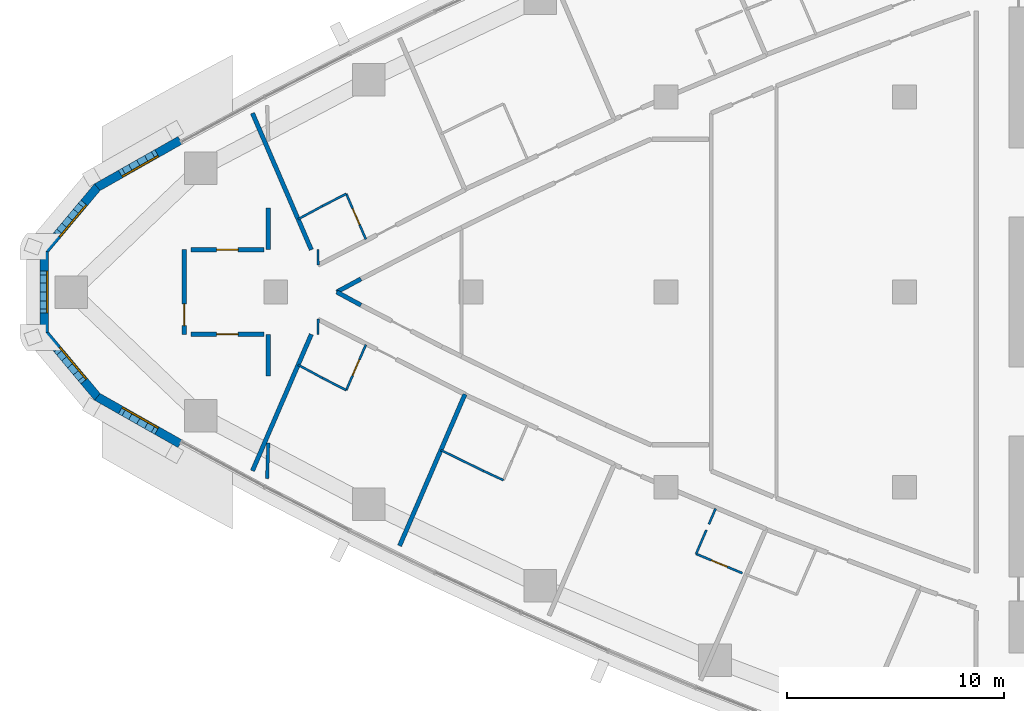
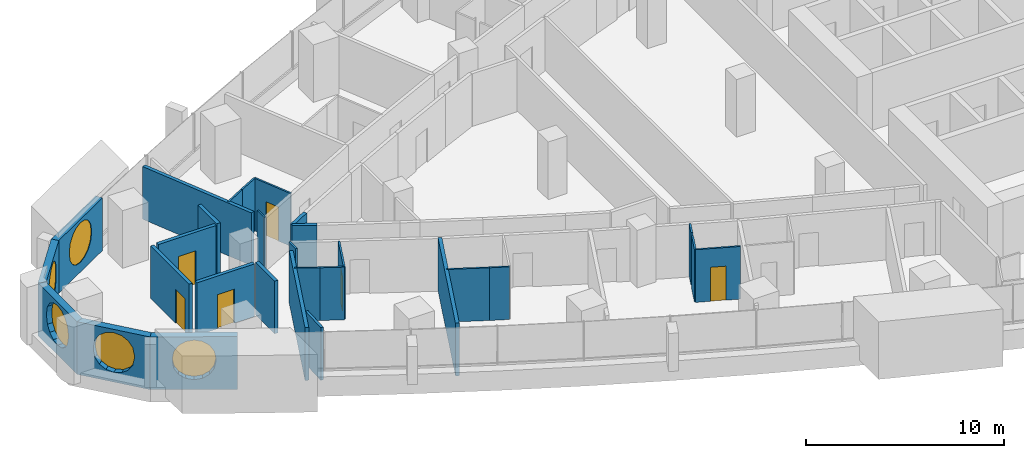
# One storey, part 8 of 17: 29 walls, 6 doors, 5 windows, 11 openings.
"""IFC4 building model written with IfcOpenShell, lengths in metres."""

from ifc_helpers import new_model, si_unit, direction, frame, frame_2d, origin, place, context, subcontext, project, spatial, polyline, rectangle, outline, extrude, material, layer, layer_set, type_object, element, fill, save


model = new_model("IFC4")

# Units and contexts
model_context = context("Model", 3, precision=1e-05, world=origin(), true_north=direction((0.0, 1.0)))
body_context = subcontext(model_context, "Body", "Model", "MODEL_VIEW")
ifc_project = project(units=[si_unit("LENGTHUNIT", "METRE"), si_unit("AREAUNIT", "SQUARE_METRE"), si_unit("VOLUMEUNIT", "CUBIC_METRE"), si_unit("PLANEANGLEUNIT", "RADIAN"), si_unit("MASSUNIT", "GRAM", prefix="KILO")], contexts=[model_context])

# Site, building, storey
site_placement = place(None, origin())
site = spatial("IfcSite", under=ifc_project, at=site_placement, CompositionType="ELEMENT")
building_placement = place(site_placement, origin())
building = spatial("IfcBuilding", under=site, at=building_placement, Name="Ostrand Prow Hotel Tower", CompositionType="ELEMENT")
storey_placement = place(building_placement, frame((0.0, 0.0, 158.60009765625)))
storey = spatial("IfcBuildingStorey", under=building, at=storey_placement, Name="L39", CompositionType="ELEMENT", Elevation=158.60009765625)

# Walls
ifc_material_1 = material(Name="Plasterboard partition")
ifc_layer_1 = layer(ifc_material_1, 0.10009765625)
ifc_layer_set_1 = layer_set([ifc_layer_1], Name="Plasterboard partition")
wall_type_1 = type_object("IfcWallType", Name="Partition 100 bathroom wall", PredefinedType="PARTITIONING", material=ifc_layer_set_1)
wall_1_placement = place(storey_placement, frame((17.03564453125, 3.3583984375, 0.0), z_axis=(0.0, 0.0, 1.0), x_axis=(0.879823588489, 0.475300382009, 0.0)))
element("IfcWall", 1, at=wall_1_placement, inside=storey, type_object=wall_type_1, Name="BATHROOM WALL", PredefinedType="PARTITIONING", context=body_context, shape_type="SweptSolid", body=[
    extrude(rectangle(XDim=1.27294921875, YDim=0.10009765625, at=frame_2d((0.636474609375, 0.0))), origin(), (0.0, 0.0, 1.0), 3.25),
])
wall_2_placement = place(storey_placement, frame((18.155517578125, 3.96337890625, 0.0), z_axis=(0.0, 0.0, 1.0), x_axis=(0.889106231322, 0.457700895154, 0.0)))
element("IfcWall", 2, at=wall_2_placement, inside=storey, type_object=wall_type_1, Name="BATHROOM WALL", PredefinedType="PARTITIONING", context=body_context, shape_type="SweptSolid", body=[
    extrude(rectangle(XDim=1.23486328125, YDim=0.10009765625, at=frame_2d((0.617431640625, 0.0))), origin(), (0.0, 0.0, 1.0), 3.25),
])

# Wall, opening, door
wall_3_placement = place(storey_placement, frame((19.253662109375, 4.528564453125, 0.0), z_axis=(0.0, 0.0, 1.0), x_axis=(0.395958457437, -0.9182684248, 0.0)))
wall_3 = element("IfcWall", 3, at=wall_3_placement, inside=storey, type_object=wall_type_1, Name="BATHROOM WALL", PredefinedType="PARTITIONING", context=body_context, shape_type="SweptSolid", body=[
    extrude(rectangle(XDim=2.281982421875, YDim=0.10009765625, at=frame_2d((1.14111328125, 0.0))), origin(), (0.0, 0.0, 1.0), 3.25),
])
opening_1_placement = place(wall_3_placement, frame((0.75, 0.0, 0.0)))
opening_1 = element("IfcOpeningElement", 4, at=opening_1_placement, cuts=wall_3, Name="Opening D2", PredefinedType="OPENING", context=body_context, shape_type="SweptSolid", body=[
    extrude(rectangle(XDim=0.800048828125, YDim=2.10009765625, at=frame_2d((0.39990234375, 1.050048828125))), frame((0.0, 0.06005859375, 0.0), z_axis=(0.0, -1.0, 0.0), x_axis=(1.0, 0.0, 0.0)), (0.0, 0.0, 1.0), 0.1201171875),
])
ifc_material_2 = material(Name="Timber door leaf", Category="wood")
door_type_1 = type_object("IfcDoorType", Name="Bathroom door 800", OperationType="SINGLE_SWING_LEFT", PredefinedType="DOOR", material=ifc_material_2)
door_1_placement = place(opening_1_placement, origin())
door_1 = element("IfcDoor", 5, at=door_1_placement, inside=storey, type_object=door_type_1, Name="DOOR", OperationType="SINGLE_SWING_LEFT", OverallHeight=2.10009765625, OverallWidth=0.800048828125, PredefinedType="DOOR", context=body_context, shape_type="SweptSolid", body=[
    extrude(rectangle(XDim=0.800048828125, YDim=2.10009765625, at=frame_2d((0.39990234375, 1.050048828125))), frame((0.0, 0.02490234375, 0.0), z_axis=(0.0, -1.0, 0.0), x_axis=(1.0, 0.0, 0.0)), (0.0, 0.0, 1.0), 0.050048828125),
])
fill(opening_1, door_1)

wall_4_placement = place(storey_placement, frame((20.1572265625, -2.43310546875, 0.0), z_axis=(0.0, 0.0, 1.0), x_axis=(-0.395958457437, -0.9182684248, 0.0)))
wall_4 = element("IfcWall", 6, at=wall_4_placement, inside=storey, type_object=wall_type_1, Name="BATHROOM WALL", PredefinedType="PARTITIONING", context=body_context, shape_type="SweptSolid", body=[
    extrude(rectangle(XDim=2.281982421875, YDim=0.10009765625, at=frame_2d((1.14111328125, 0.0))), origin(), (0.0, 0.0, 1.0), 3.25),
])
opening_2_placement = place(wall_4_placement, frame((0.75, 0.0, 0.0)))
opening_2 = element("IfcOpeningElement", 7, at=opening_2_placement, cuts=wall_4, Name="Opening D2", PredefinedType="OPENING", context=body_context, shape_type="SweptSolid", body=[
    extrude(rectangle(XDim=0.800048828125, YDim=2.10009765625, at=frame_2d((0.39990234375, 1.050048828125))), frame((0.0, 0.06005859375, 0.0), z_axis=(0.0, -1.0, 0.0), x_axis=(1.0, 0.0, 0.0)), (0.0, 0.0, 1.0), 0.1201171875),
])
door_2_placement = place(opening_2_placement, origin())
door_2 = element("IfcDoor", 8, at=door_2_placement, inside=storey, type_object=door_type_1, Name="DOOR", OperationType="SINGLE_SWING_LEFT", OverallHeight=2.10009765625, OverallWidth=0.800048828125, PredefinedType="DOOR", context=body_context, shape_type="SweptSolid", body=[
    extrude(rectangle(XDim=0.800048828125, YDim=2.10009765625, at=frame_2d((0.39990234375, 1.050048828125))), frame((0.0, 0.02490234375, 0.0), z_axis=(0.0, -1.0, 0.0), x_axis=(1.0, 0.0, 0.0)), (0.0, 0.0, 1.0), 0.050048828125),
])
fill(opening_2, door_2)

# Walls
wall_5_placement = place(storey_placement, frame((19.25341796875, -4.528564453125, 0.0), z_axis=(0.0, 0.0, 1.0), x_axis=(-0.889106231322, 0.457700895154, 0.0)))
element("IfcWall", 9, at=wall_5_placement, inside=storey, type_object=wall_type_1, Name="BATHROOM WALL", PredefinedType="PARTITIONING", context=body_context, shape_type="SweptSolid", body=[
    extrude(rectangle(XDim=1.23486328125, YDim=0.10009765625, at=frame_2d((0.617431640625, 0.0))), origin(), (0.0, 0.0, 1.0), 3.25),
])
wall_6_placement = place(storey_placement, frame((18.155517578125, -3.96337890625, 0.0), z_axis=(0.0, 0.0, 1.0), x_axis=(-0.879823588489, 0.475300382009, 0.0)))
element("IfcWall", 10, at=wall_6_placement, inside=storey, type_object=wall_type_1, Name="BATHROOM WALL", PredefinedType="PARTITIONING", context=body_context, shape_type="SweptSolid", body=[
    extrude(rectangle(XDim=1.27294921875, YDim=0.10009765625, at=frame_2d((0.636474609375, 0.0))), origin(), (0.0, 0.0, 1.0), 3.25),
])
wall_7_placement = place(storey_placement, frame((26.502685546875, -8.6787109375, 0.0), z_axis=(0.0, 0.0, 1.0), x_axis=(-0.906901476145, 0.421342749512, 0.0)))
element("IfcWall", 11, at=wall_7_placement, inside=storey, type_object=wall_type_1, Name="BATHROOM WALL", PredefinedType="PARTITIONING", context=body_context, shape_type="SweptSolid", body=[
    extrude(rectangle(XDim=1.022705078125, YDim=0.10009765625, at=frame_2d((0.51123046875, 0.0))), origin(), (0.0, 0.0, 1.0), 3.25),
])
wall_8_placement = place(storey_placement, frame((25.5751953125, -8.247802734375, 0.0), z_axis=(0.0, 0.0, 1.0), x_axis=(-0.898158387811, 0.439672048696, 0.0)))
element("IfcWall", 12, at=wall_8_placement, inside=storey, type_object=wall_type_1, Name="BATHROOM WALL", PredefinedType="PARTITIONING", context=body_context, shape_type="SweptSolid", body=[
    extrude(rectangle(XDim=2.179931640625, YDim=0.10009765625, at=frame_2d((1.08984375, 0.0))), origin(), (0.0, 0.0, 1.0), 3.25),
])
wall_9_placement = place(storey_placement, frame((35.384033203125, -12.07421875, 0.0), z_axis=(0.0, 0.0, 1.0), x_axis=(0.396057430794, 0.918225741043, 0.0)))
element("IfcWall", 13, at=wall_9_placement, inside=storey, type_object=wall_type_1, Name="BATHROOM WALL", PredefinedType="PARTITIONING", context=body_context, shape_type="SweptSolid", body=[
    extrude(rectangle(XDim=1.1982421875, YDim=0.10009765625, at=frame_2d((0.59912109375, 0.0))), origin(), (0.0, 0.0, 1.0), 3.25),
])
wall_10_placement = place(storey_placement, frame((35.974853515625, -10.70458984375, 0.0), z_axis=(0.0, 0.0, 1.0), x_axis=(0.396019167007, 0.918242244379, 0.0)))
element("IfcWall", 14, at=wall_10_placement, inside=storey, type_object=wall_type_1, Name="BATHROOM WALL", PredefinedType="PARTITIONING", context=body_context, shape_type="SweptSolid", body=[
    extrude(rectangle(XDim=0.785400390625, YDim=0.10009765625, at=frame_2d((0.392578125, 0.0))), origin(), (0.0, 0.0, 1.0), 3.25),
])

# Wall, opening, door
wall_11_placement = place(storey_placement, frame((37.51611328125, -12.962890625, 0.0), z_axis=(0.0, 0.0, 1.0), x_axis=(-0.923014363649, 0.384765492863, 0.0)))
wall_11 = element("IfcWall", 15, at=wall_11_placement, inside=storey, type_object=wall_type_1, Name="BATHROOM WALL", PredefinedType="PARTITIONING", context=body_context, shape_type="SweptSolid", body=[
    extrude(rectangle(XDim=2.3095703125, YDim=0.10009765625, at=frame_2d((1.15478515625, 0.0))), origin(), (0.0, 0.0, 1.0), 3.25),
])
opening_3_placement = place(wall_11_placement, frame((0.75, 0.0, 0.0)))
opening_3 = element("IfcOpeningElement", 16, at=opening_3_placement, cuts=wall_11, Name="Opening D2", PredefinedType="OPENING", context=body_context, shape_type="SweptSolid", body=[
    extrude(rectangle(XDim=0.800048828125, YDim=2.10009765625, at=frame_2d((0.39990234375, 1.050048828125))), frame((0.0, 0.06005859375, 0.0), z_axis=(0.0, -1.0, 0.0), x_axis=(1.0, 0.0, 0.0)), (0.0, 0.0, 1.0), 0.1201171875),
])
door_3_placement = place(opening_3_placement, origin())
door_3 = element("IfcDoor", 17, at=door_3_placement, inside=storey, type_object=door_type_1, Name="DOOR", OperationType="SINGLE_SWING_LEFT", OverallHeight=2.10009765625, OverallWidth=0.800048828125, PredefinedType="DOOR", context=body_context, shape_type="SweptSolid", body=[
    extrude(rectangle(XDim=0.800048828125, YDim=2.10009765625, at=frame_2d((0.39990234375, 1.050048828125))), frame((0.0, 0.02490234375, 0.0), z_axis=(0.0, -1.0, 0.0), x_axis=(1.0, 0.0, 0.0)), (0.0, 0.0, 1.0), 0.050048828125),
])
fill(opening_3, door_3)

# Walls
for number, where, z_axis, x_axis, name in (
    (18, (17.959716796875, 1.248779296875, 0.0), (0.0, 0.0, 1.0), (-0.007291472831, 0.999973416859, 0.0), "BATHROOM WALL"),
    (19, (17.95458984375, -1.951904296875, 0.0), (0.0, 0.0, 1.0), (0.007291472831, 0.999973416859, 0.0), "BATHROOM WALL"),
):
    element("IfcWall", number, at=place(storey_placement, frame(where, z_axis=z_axis, x_axis=x_axis)), inside=storey, type_object=wall_type_1, Name=name, PredefinedType="PARTITIONING", context=body_context, shape_type="SweptSolid", body=[
        extrude(rectangle(XDim=0.703125, YDim=0.10009765625, at=frame_2d((0.3515625, 0.0))), origin(), (0.0, 0.0, 1.0), 3.25),
    ])
ifc_material_3 = material(Name="Plasterboard partition")
ifc_layer_2 = layer(ifc_material_3, 0.14990234375)
ifc_layer_set_2 = layer_set([ifc_layer_2], Name="Plasterboard partition")
wall_type_2 = type_object("IfcWallType", Name="Partition 150 room partition", PredefinedType="PARTITIONING", material=ifc_layer_set_2)
wall_12_placement = place(storey_placement, frame((15.65869140625, -6.955078125, 0.0), z_axis=(0.0, 0.0, 1.0), x_axis=(-0.033196927484, -0.999448830109, 0.0)))
element("IfcWall", 20, at=wall_12_placement, inside=storey, type_object=wall_type_2, Name="ROOM PARTITION", PredefinedType="PARTITIONING", context=body_context, shape_type="SweptSolid", body=[
    extrude(rectangle(XDim=1.65478515625, YDim=0.14990234375, at=frame_2d((0.827392578125, 0.0))), origin(), (0.0, 0.0, 1.0), 3.25),
])

# Wall, opening, door
ifc_material_4 = material(Name="Plasterboard partition")
ifc_layer_3 = layer(ifc_material_4, 0.199951171875)
ifc_layer_set_3 = layer_set([ifc_layer_3], Name="Plasterboard partition")
wall_type_3 = type_object("IfcWallType", Name="Partition 200 corridor wall", PredefinedType="PARTITIONING", material=ifc_layer_set_3)
wall_13_placement = place(storey_placement, frame((12.086669921875, 1.949951171875, 0.0), z_axis=(0.0, 0.0, 1.0), x_axis=(1.0, 0.0, 0.0)))
wall_13 = element("IfcWall", 21, at=wall_13_placement, inside=storey, type_object=wall_type_3, Name="CORRIDOR WALL", PredefinedType="PARTITIONING", context=body_context, shape_type="SweptSolid", body=[
    extrude(rectangle(XDim=3.3720703125, YDim=0.199951171875, at=frame_2d((1.68603515625, 0.0))), origin(), (0.0, 0.0, 1.0), 3.25),
])
opening_4_placement = place(wall_13_placement, frame((1.18603515625, 0.0, 0.0)))
opening_4 = element("IfcOpeningElement", 22, at=opening_4_placement, cuts=wall_13, Name="Opening D1", PredefinedType="OPENING", context=body_context, shape_type="SweptSolid", body=[
    extrude(rectangle(XDim=1.0, YDim=2.10009765625, at=frame_2d((0.5, 1.050048828125))), frame((0.0, 0.10986328125, 0.0), z_axis=(0.0, -1.0, 0.0), x_axis=(1.0, 0.0, 0.0)), (0.0, 0.0, 1.0), 0.219970703125),
])
ifc_material_5 = material(Name="Timber door leaf", Category="wood")
door_type_2 = type_object("IfcDoorType", Name="Guest room door 1000", OperationType="SINGLE_SWING_LEFT", PredefinedType="DOOR", material=ifc_material_5)
door_4_placement = place(opening_4_placement, origin())
door_4 = element("IfcDoor", 23, at=door_4_placement, inside=storey, type_object=door_type_2, Name="DOOR", OperationType="SINGLE_SWING_LEFT", OverallHeight=2.10009765625, OverallWidth=1.0, PredefinedType="DOOR", context=body_context, shape_type="SweptSolid", body=[
    extrude(rectangle(XDim=1.0, YDim=2.10009765625, at=frame_2d((0.5, 1.050048828125))), frame((0.0, 0.02490234375, 0.0), z_axis=(0.0, -1.0, 0.0), x_axis=(1.0, 0.0, 0.0)), (0.0, 0.0, 1.0), 0.050048828125),
])
fill(opening_4, door_4)

wall_14_placement = place(storey_placement, frame((12.086669921875, -1.949951171875, 0.0), z_axis=(0.0, 0.0, 1.0), x_axis=(1.0, 0.0, 0.0)))
wall_14 = element("IfcWall", 24, at=wall_14_placement, inside=storey, type_object=wall_type_3, Name="CORRIDOR WALL", PredefinedType="PARTITIONING", context=body_context, shape_type="SweptSolid", body=[
    extrude(rectangle(XDim=3.3720703125, YDim=0.199951171875, at=frame_2d((1.68603515625, 0.0))), origin(), (0.0, 0.0, 1.0), 3.25),
])
opening_5_placement = place(wall_14_placement, frame((1.18603515625, 0.0, 0.0)))
opening_5 = element("IfcOpeningElement", 25, at=opening_5_placement, cuts=wall_14, Name="Opening D1R", PredefinedType="OPENING", context=body_context, shape_type="SweptSolid", body=[
    extrude(rectangle(XDim=1.0, YDim=2.10009765625, at=frame_2d((0.5, 1.050048828125))), frame((0.0, 0.10986328125, 0.0), z_axis=(0.0, -1.0, 0.0), x_axis=(1.0, 0.0, 0.0)), (0.0, 0.0, 1.0), 0.219970703125),
])
ifc_material_6 = material(Name="Timber door leaf", Category="wood")
door_type_3 = type_object("IfcDoorType", Name="Guest room door 1000 right", OperationType="SINGLE_SWING_RIGHT", PredefinedType="DOOR", material=ifc_material_6)
door_5_placement = place(opening_5_placement, origin())
door_5 = element("IfcDoor", 26, at=door_5_placement, inside=storey, type_object=door_type_3, Name="DOOR", OperationType="SINGLE_SWING_RIGHT", OverallHeight=2.10009765625, OverallWidth=1.0, PredefinedType="DOOR", context=body_context, shape_type="SweptSolid", body=[
    extrude(rectangle(XDim=1.0, YDim=2.10009765625, at=frame_2d((0.5, 1.050048828125))), frame((0.0, 0.02490234375, 0.0), z_axis=(0.0, -1.0, 0.0), x_axis=(1.0, 0.0, 0.0)), (0.0, 0.0, 1.0), 0.050048828125),
])
fill(opening_5, door_5)

# Walls
for number, where, z_axis, x_axis, name in (
    (27, (19.928466796875, -0.60205078125, 0.0), (0.0, 0.0, 1.0), (-0.879832865766, 0.475283208538, 0.0), "CORRIDOR WALL"),
    (28, (18.81396484375, 0.0, 0.0), (0.0, 0.0, 1.0), (0.879832865766, 0.475283208538, 0.0), "CORRIDOR WALL"),
):
    element("IfcWall", number, at=place(storey_placement, frame(where, z_axis=z_axis, x_axis=x_axis)), inside=storey, type_object=wall_type_3, Name=name, PredefinedType="PARTITIONING", context=body_context, shape_type="SweptSolid", body=[
        extrude(rectangle(XDim=1.2666015625, YDim=0.199951171875, at=frame_2d((0.63330078125, 0.0))), origin(), (0.0, 0.0, 1.0), 3.25),
    ])
wall_15_placement = place(storey_placement, frame((15.65869140625, 3.869384765625, 0.0), z_axis=(0.0, 0.0, 1.0), x_axis=(0.0, -1.0, 0.0)))
element("IfcWall", 29, at=wall_15_placement, inside=storey, type_object=wall_type_3, Name="CORRIDOR WALL", PredefinedType="PARTITIONING", context=body_context, shape_type="SweptSolid", body=[
    extrude(rectangle(XDim=1.914306640625, YDim=0.199951171875, at=frame_2d((0.95703125, 0.0))), origin(), (0.0, 0.0, 1.0), 3.25),
])
wall_16_placement = place(storey_placement, frame((15.65869140625, -1.955078125, 0.0), z_axis=(0.0, 0.0, 1.0), x_axis=(0.0, -1.0, 0.0)))
element("IfcWall", 30, at=wall_16_placement, inside=storey, type_object=wall_type_3, Name="CORRIDOR WALL", PredefinedType="PARTITIONING", context=body_context, shape_type="SweptSolid", body=[
    extrude(rectangle(XDim=1.921630859375, YDim=0.199951171875, at=frame_2d((0.9609375, 0.0))), origin(), (0.0, 0.0, 1.0), 3.25),
])
ifc_material_7 = material(Name="Plasterboard partition")
ifc_layer_4 = layer(ifc_material_7, 0.199951171875)
ifc_layer_set_4 = layer_set([ifc_layer_4], Name="Plasterboard partition")
wall_type_4 = type_object("IfcWallType", Name="Partition 200 key partition", PredefinedType="PARTITIONING", material=ifc_layer_set_4)
for number, where, z_axis, x_axis, name in (
    (31, (17.64306640625, 1.949951171875, 0.0), (0.0, 0.0, 1.0), (-0.395994543879, 0.918252863441, 0.0), "KEY PARTITION"),
    (32, (14.9287109375, -8.244140625, 0.0), (0.0, 0.0, 1.0), (0.395994543879, 0.918252863441, 0.0), "KEY PARTITION"),
):
    element("IfcWall", number, at=place(storey_placement, frame(where, z_axis=z_axis, x_axis=x_axis)), inside=storey, type_object=wall_type_4, Name=name, PredefinedType="PARTITIONING", context=body_context, shape_type="SweptSolid", body=[
        extrude(rectangle(XDim=6.8544921875, YDim=0.199951171875, at=frame_2d((3.42724609375, 0.0))), origin(), (0.0, 0.0, 1.0), 3.25),
    ])
wall_17_placement = place(storey_placement, frame((21.714111328125, -11.701904296875, 0.0), z_axis=(0.0, 0.0, 1.0), x_axis=(0.395982367396, 0.918258114427, 0.0)))
element("IfcWall", 33, at=wall_17_placement, inside=storey, type_object=wall_type_4, Name="KEY PARTITION", PredefinedType="PARTITIONING", context=body_context, shape_type="SweptSolid", body=[
    extrude(rectangle(XDim=7.60888671875, YDim=0.199951171875, at=frame_2d((3.804443359375, 0.0))), origin(), (0.0, 0.0, 1.0), 3.25),
])

# Wall, opening, door
ifc_material_8 = material(Name="Plasterboard partition")
ifc_layer_5 = layer(ifc_material_8, 0.199951171875)
ifc_layer_set_5 = layer_set([ifc_layer_5], Name="Plasterboard partition")
wall_type_5 = type_object("IfcWallType", Name="Partition 200 lounge wall", PredefinedType="PARTITIONING", material=ifc_layer_set_5)
wall_18_placement = place(storey_placement, frame((11.78662109375, -1.949951171875, 0.0), z_axis=(0.0, 0.0, 1.0), x_axis=(0.0, 1.0, 0.0)))
wall_18 = element("IfcWall", 34, at=wall_18_placement, inside=storey, type_object=wall_type_5, Name="LOUNGE WALL", PredefinedType="PARTITIONING", context=body_context, shape_type="SweptSolid", body=[
    extrude(rectangle(XDim=3.89990234375, YDim=0.199951171875, at=frame_2d((1.949951171875, 0.0))), origin(), (0.0, 0.0, 1.0), 3.25),
])
opening_6_placement = place(wall_18_placement, frame((0.39990234375, 0.0, 0.0)))
opening_6 = element("IfcOpeningElement", 35, at=opening_6_placement, cuts=wall_18, Name="Opening D1", PredefinedType="OPENING", context=body_context, shape_type="SweptSolid", body=[
    extrude(rectangle(XDim=1.0, YDim=2.10009765625, at=frame_2d((0.5, 1.050048828125))), frame((0.0, 0.10986328125, 0.0), z_axis=(0.0, -1.0, 0.0), x_axis=(1.0, 0.0, 0.0)), (0.0, 0.0, 1.0), 0.219970703125),
])
door_6_placement = place(opening_6_placement, origin())
door_6 = element("IfcDoor", 36, at=door_6_placement, inside=storey, type_object=door_type_2, Name="DOOR", OperationType="SINGLE_SWING_LEFT", OverallHeight=2.10009765625, OverallWidth=1.0, PredefinedType="DOOR", context=body_context, shape_type="SweptSolid", body=[
    extrude(rectangle(XDim=1.0, YDim=2.10009765625, at=frame_2d((0.5, 1.050048828125))), frame((0.0, 0.02490234375, 0.0), z_axis=(0.0, -1.0, 0.0), x_axis=(1.0, 0.0, 0.0)), (0.0, 0.0, 1.0), 0.050048828125),
])
fill(opening_6, door_6)

# Wall, opening, window
ifc_material_9 = material(Name="Precast concrete C40/50", Category="concrete")
ifc_layer_6 = layer(ifc_material_9, 0.39990234375)
ifc_layer_set_6 = layer_set([ifc_layer_6], Name="Precast concrete C40/50")
wall_type_6 = type_object("IfcWallType", Name="Stone-faced precast wall 400 mm", PredefinedType="NOTDEFINED", material=ifc_layer_set_6)
wall_19_placement = place(storey_placement, frame((11.594482421875, 6.996826171875, 0.0), z_axis=(0.0, 0.0, 1.0), x_axis=(-0.870045255208, -0.492971859125, 0.0)))
wall_19 = element("IfcWall", 37, at=wall_19_placement, inside=storey, type_object=wall_type_6, Name="Stone-faced wall prow 1", PredefinedType="NOTDEFINED", context=body_context, shape_type="SweptSolid", body=[
    extrude(outline(polyline([(0.0, -0.199951171875), (4.424072265625, -0.199951171875), (4.351806640625, 0.199951171875), (0.0, 0.199951171875), (0.0, -0.199951171875)])), origin(), (0.0, 0.0, 1.0), 3.25),
])
opening_7_placement = place(wall_19_placement, frame((1.093994140625, 0.0, 0.60009765625)))
opening_7 = element("IfcOpeningElement", 38, at=opening_7_placement, cuts=wall_19, Name="Opening WP1", PredefinedType="OPENING", context=body_context, shape_type="SweptSolid", body=[
    extrude(outline(polyline([(0.0, 1.35009765625), (0.083740234375, 1.77099609375), (0.322265625, 2.127685546875), (0.678955078125, 2.3662109375), (1.10009765625, 2.449951171875), (1.52099609375, 2.3662109375), (1.877685546875, 2.127685546875), (2.1162109375, 1.77099609375), (2.199951171875, 1.35009765625), (2.199951171875, 1.10009765625), (2.1162109375, 0.678955078125), (1.877685546875, 0.322265625), (1.52099609375, 0.083740234375), (1.10009765625, 0.0), (0.678955078125, 0.083740234375), (0.322265625, 0.322265625), (0.083740234375, 0.678955078125), (0.0, 1.099853515625), (0.0, 1.35009765625)])), frame((0.0, 0.2099609375, 0.0), z_axis=(0.0, -1.0, 0.0), x_axis=(1.0, 0.0, 0.0)), (0.0, 0.0, 1.0), 0.419921875),
])
ifc_material_10 = material(Name="Insulated glass in bronze frame", Category="glass")
window_type = type_object("IfcWindowType", Name="Round-ended prow window 2200x2450", PartitioningType="SINGLE_PANEL", PredefinedType="WINDOW", material=ifc_material_10)
window_1_placement = place(opening_7_placement, origin())
window_1 = element("IfcWindow", 39, at=window_1_placement, inside=storey, type_object=window_type, Name="Window prow 1.1", OverallHeight=2.449951171875, OverallWidth=2.199951171875, PartitioningType="SINGLE_PANEL", PredefinedType="WINDOW", context=body_context, shape_type="SweptSolid", body=[
    extrude(outline(polyline([(0.0, 1.35009765625), (0.083740234375, 1.77099609375), (0.322265625, 2.127685546875), (0.678955078125, 2.3662109375), (1.10009765625, 2.449951171875), (1.52099609375, 2.3662109375), (1.877685546875, 2.127685546875), (2.1162109375, 1.77099609375), (2.199951171875, 1.35009765625), (2.199951171875, 1.10009765625), (2.1162109375, 0.678955078125), (1.877685546875, 0.322265625), (1.52099609375, 0.083740234375), (1.10009765625, 0.0), (0.678955078125, 0.083740234375), (0.322265625, 0.322265625), (0.083740234375, 0.678955078125), (0.0, 1.099853515625), (0.0, 1.35009765625)])), frame((0.0, 0.169921875, 0.0), z_axis=(0.0, -1.0, 0.0), x_axis=(1.0, 0.0, 0.0)), (0.0, 0.0, 1.0), 0.06005859375),
])
fill(opening_7, window_1)

wall_20_placement = place(storey_placement, frame((7.77685546875, 4.833740234375, 0.0), z_axis=(0.0, 0.0, 1.0), x_axis=(-0.641787918235, -0.766882173484, 0.0)))
wall_20 = element("IfcWall", 40, at=wall_20_placement, inside=storey, type_object=wall_type_6, Name="Stone-faced wall prow 2", PredefinedType="NOTDEFINED", context=body_context, shape_type="SweptSolid", body=[
    extrude(outline(polyline([(-0.0361328125, -0.199951171875), (3.887939453125, -0.199951171875), (3.742919921875, 0.199951171875), (0.0361328125, 0.199951171875), (-0.0361328125, -0.199951171875)])), origin(), (0.0, 0.0, 1.0), 3.25),
])
opening_8_placement = place(wall_20_placement, frame((0.8076171875, 0.0, 0.60009765625)))
opening_8 = element("IfcOpeningElement", 41, at=opening_8_placement, cuts=wall_20, Name="Opening WP1", PredefinedType="OPENING", context=body_context, shape_type="SweptSolid", body=[
    extrude(outline(polyline([(0.0, 1.35009765625), (0.083740234375, 1.77099609375), (0.322265625, 2.127685546875), (0.678955078125, 2.3662109375), (1.10009765625, 2.449951171875), (1.52099609375, 2.3662109375), (1.877685546875, 2.127685546875), (2.1162109375, 1.77099609375), (2.199951171875, 1.35009765625), (2.199951171875, 1.10009765625), (2.1162109375, 0.678955078125), (1.877685546875, 0.322265625), (1.52099609375, 0.083740234375), (1.10009765625, 0.0), (0.678955078125, 0.083740234375), (0.322265625, 0.322265625), (0.083740234375, 0.678955078125), (0.0, 1.099853515625), (0.0, 1.35009765625)])), frame((0.0, 0.2099609375, 0.0), z_axis=(0.0, -1.0, 0.0), x_axis=(1.0, 0.0, 0.0)), (0.0, 0.0, 1.0), 0.419921875),
])
window_2_placement = place(opening_8_placement, origin())
window_2 = element("IfcWindow", 42, at=window_2_placement, inside=storey, type_object=window_type, Name="Window prow 2.1", OverallHeight=2.449951171875, OverallWidth=2.199951171875, PartitioningType="SINGLE_PANEL", PredefinedType="WINDOW", context=body_context, shape_type="SweptSolid", body=[
    extrude(outline(polyline([(0.0, 1.35009765625), (0.083740234375, 1.77099609375), (0.322265625, 2.127685546875), (0.678955078125, 2.3662109375), (1.10009765625, 2.449951171875), (1.52099609375, 2.3662109375), (1.877685546875, 2.127685546875), (2.1162109375, 1.77099609375), (2.199951171875, 1.35009765625), (2.199951171875, 1.10009765625), (2.1162109375, 0.678955078125), (1.877685546875, 0.322265625), (1.52099609375, 0.083740234375), (1.10009765625, 0.0), (0.678955078125, 0.083740234375), (0.322265625, 0.322265625), (0.083740234375, 0.678955078125), (0.0, 1.099853515625), (0.0, 1.35009765625)])), frame((0.0, 0.169921875, 0.0), z_axis=(0.0, -1.0, 0.0), x_axis=(1.0, 0.0, 0.0)), (0.0, 0.0, 1.0), 0.06005859375),
])
fill(opening_8, window_2)

wall_21_placement = place(storey_placement, frame((5.328125, 1.90771484375, 0.0), z_axis=(0.0, 0.0, 1.0), x_axis=(0.0, -1.0, 0.0)))
wall_21 = element("IfcWall", 43, at=wall_21_placement, inside=storey, type_object=wall_type_6, Name="Stone-faced wall prow 3", PredefinedType="NOTDEFINED", context=body_context, shape_type="SweptSolid", body=[
    extrude(outline(polyline([(-0.072509765625, -0.199951171875), (3.887939453125, -0.199951171875), (3.742919921875, 0.199951171875), (0.072509765625, 0.199951171875), (-0.072509765625, -0.199951171875)])), origin(), (0.0, 0.0, 1.0), 3.25),
])
opening_9_placement = place(wall_21_placement, frame((0.8076171875, 0.0, 0.60009765625)))
opening_9 = element("IfcOpeningElement", 44, at=opening_9_placement, cuts=wall_21, Name="Opening WP1", PredefinedType="OPENING", context=body_context, shape_type="SweptSolid", body=[
    extrude(outline(polyline([(0.0, 1.35009765625), (0.083740234375, 1.77099609375), (0.322265625, 2.127685546875), (0.678955078125, 2.3662109375), (1.10009765625, 2.449951171875), (1.52099609375, 2.3662109375), (1.877685546875, 2.127685546875), (2.1162109375, 1.77099609375), (2.199951171875, 1.35009765625), (2.199951171875, 1.10009765625), (2.1162109375, 0.678955078125), (1.877685546875, 0.322265625), (1.52099609375, 0.083740234375), (1.10009765625, 0.0), (0.678955078125, 0.083740234375), (0.322265625, 0.322265625), (0.083740234375, 0.678955078125), (0.0, 1.099853515625), (0.0, 1.35009765625)])), frame((0.0, 0.2099609375, 0.0), z_axis=(0.0, -1.0, 0.0), x_axis=(1.0, 0.0, 0.0)), (0.0, 0.0, 1.0), 0.419921875),
])
window_3_placement = place(opening_9_placement, origin())
window_3 = element("IfcWindow", 45, at=window_3_placement, inside=storey, type_object=window_type, Name="Window prow 3.1", OverallHeight=2.449951171875, OverallWidth=2.199951171875, PartitioningType="SINGLE_PANEL", PredefinedType="WINDOW", context=body_context, shape_type="SweptSolid", body=[
    extrude(outline(polyline([(0.0, 1.35009765625), (0.083740234375, 1.77099609375), (0.322265625, 2.127685546875), (0.678955078125, 2.3662109375), (1.10009765625, 2.449951171875), (1.52099609375, 2.3662109375), (1.877685546875, 2.127685546875), (2.1162109375, 1.77099609375), (2.199951171875, 1.35009765625), (2.199951171875, 1.10009765625), (2.1162109375, 0.678955078125), (1.877685546875, 0.322265625), (1.52099609375, 0.083740234375), (1.10009765625, 0.0), (0.678955078125, 0.083740234375), (0.322265625, 0.322265625), (0.083740234375, 0.678955078125), (0.0, 1.099853515625), (0.0, 1.35009765625)])), frame((0.0, 0.169921875, 0.0), z_axis=(0.0, -1.0, 0.0), x_axis=(1.0, 0.0, 0.0)), (0.0, 0.0, 1.0), 0.06005859375),
])
fill(opening_9, window_3)

wall_22_placement = place(storey_placement, frame((5.328125, -1.90771484375, 0.0), z_axis=(0.0, 0.0, 1.0), x_axis=(0.641787918235, -0.766882173484, 0.0)))
wall_22 = element("IfcWall", 46, at=wall_22_placement, inside=storey, type_object=wall_type_6, Name="Stone-faced wall prow 4", PredefinedType="NOTDEFINED", context=body_context, shape_type="SweptSolid", body=[
    extrude(outline(polyline([(-0.072509765625, -0.199951171875), (3.8515625, -0.199951171875), (3.779296875, 0.199951171875), (0.072509765625, 0.199951171875), (-0.072509765625, -0.199951171875)])), origin(), (0.0, 0.0, 1.0), 3.25),
])
opening_10_placement = place(wall_22_placement, frame((0.8076171875, 0.0, 0.60009765625)))
opening_10 = element("IfcOpeningElement", 47, at=opening_10_placement, cuts=wall_22, Name="Opening WP1", PredefinedType="OPENING", context=body_context, shape_type="SweptSolid", body=[
    extrude(outline(polyline([(0.0, 1.35009765625), (0.083740234375, 1.77099609375), (0.322265625, 2.127685546875), (0.678955078125, 2.3662109375), (1.10009765625, 2.449951171875), (1.52099609375, 2.3662109375), (1.877685546875, 2.127685546875), (2.1162109375, 1.77099609375), (2.199951171875, 1.35009765625), (2.199951171875, 1.10009765625), (2.1162109375, 0.678955078125), (1.877685546875, 0.322265625), (1.52099609375, 0.083740234375), (1.10009765625, 0.0), (0.678955078125, 0.083740234375), (0.322265625, 0.322265625), (0.083740234375, 0.678955078125), (0.0, 1.099853515625), (0.0, 1.35009765625)])), frame((0.0, 0.2099609375, 0.0), z_axis=(0.0, -1.0, 0.0), x_axis=(1.0, 0.0, 0.0)), (0.0, 0.0, 1.0), 0.419921875),
])
window_4_placement = place(opening_10_placement, origin())
window_4 = element("IfcWindow", 48, at=window_4_placement, inside=storey, type_object=window_type, Name="Window prow 4.1", OverallHeight=2.449951171875, OverallWidth=2.199951171875, PartitioningType="SINGLE_PANEL", PredefinedType="WINDOW", context=body_context, shape_type="SweptSolid", body=[
    extrude(outline(polyline([(0.0, 1.35009765625), (0.083740234375, 1.77099609375), (0.322265625, 2.127685546875), (0.678955078125, 2.3662109375), (1.10009765625, 2.449951171875), (1.52099609375, 2.3662109375), (1.877685546875, 2.127685546875), (2.1162109375, 1.77099609375), (2.199951171875, 1.35009765625), (2.199951171875, 1.10009765625), (2.1162109375, 0.678955078125), (1.877685546875, 0.322265625), (1.52099609375, 0.083740234375), (1.10009765625, 0.0), (0.678955078125, 0.083740234375), (0.322265625, 0.322265625), (0.083740234375, 0.678955078125), (0.0, 1.099853515625), (0.0, 1.35009765625)])), frame((0.0, 0.169921875, 0.0), z_axis=(0.0, -1.0, 0.0), x_axis=(1.0, 0.0, 0.0)), (0.0, 0.0, 1.0), 0.06005859375),
])
fill(opening_10, window_4)

wall_23_placement = place(storey_placement, frame((7.77685546875, -4.833740234375, 0.0), z_axis=(0.0, 0.0, 1.0), x_axis=(0.870045255208, -0.492971859125, 0.0)))
wall_23 = element("IfcWall", 49, at=wall_23_placement, inside=storey, type_object=wall_type_6, Name="Stone-faced wall prow 5", PredefinedType="NOTDEFINED", context=body_context, shape_type="SweptSolid", body=[
    extrude(outline(polyline([(-0.0361328125, -0.199951171875), (4.387939453125, -0.199951171875), (4.387939453125, 0.199951171875), (0.0361328125, 0.199951171875), (-0.0361328125, -0.199951171875)])), origin(), (0.0, 0.0, 1.0), 3.25),
])
opening_11_placement = place(wall_23_placement, frame((1.093994140625, 0.0, 0.60009765625)))
opening_11 = element("IfcOpeningElement", 50, at=opening_11_placement, cuts=wall_23, Name="Opening WP1", PredefinedType="OPENING", context=body_context, shape_type="SweptSolid", body=[
    extrude(outline(polyline([(0.0, 1.35009765625), (0.083740234375, 1.77099609375), (0.322265625, 2.127685546875), (0.678955078125, 2.3662109375), (1.10009765625, 2.449951171875), (1.52099609375, 2.3662109375), (1.877685546875, 2.127685546875), (2.1162109375, 1.77099609375), (2.199951171875, 1.35009765625), (2.199951171875, 1.10009765625), (2.1162109375, 0.678955078125), (1.877685546875, 0.322265625), (1.52099609375, 0.083740234375), (1.10009765625, 0.0), (0.678955078125, 0.083740234375), (0.322265625, 0.322265625), (0.083740234375, 0.678955078125), (0.0, 1.099853515625), (0.0, 1.35009765625)])), frame((0.0, 0.2099609375, 0.0), z_axis=(0.0, -1.0, 0.0), x_axis=(1.0, 0.0, 0.0)), (0.0, 0.0, 1.0), 0.419921875),
])
window_5_placement = place(opening_11_placement, origin())
window_5 = element("IfcWindow", 51, at=window_5_placement, inside=storey, type_object=window_type, Name="Window prow 5.1", OverallHeight=2.449951171875, OverallWidth=2.199951171875, PartitioningType="SINGLE_PANEL", PredefinedType="WINDOW", context=body_context, shape_type="SweptSolid", body=[
    extrude(outline(polyline([(0.0, 1.35009765625), (0.083740234375, 1.77099609375), (0.322265625, 2.127685546875), (0.678955078125, 2.3662109375), (1.10009765625, 2.449951171875), (1.52099609375, 2.3662109375), (1.877685546875, 2.127685546875), (2.1162109375, 1.77099609375), (2.199951171875, 1.35009765625), (2.199951171875, 1.10009765625), (2.1162109375, 0.678955078125), (1.877685546875, 0.322265625), (1.52099609375, 0.083740234375), (1.10009765625, 0.0), (0.678955078125, 0.083740234375), (0.322265625, 0.322265625), (0.083740234375, 0.678955078125), (0.0, 1.099853515625), (0.0, 1.35009765625)])), frame((0.0, 0.169921875, 0.0), z_axis=(0.0, -1.0, 0.0), x_axis=(1.0, 0.0, 0.0)), (0.0, 0.0, 1.0), 0.06005859375),
])
fill(opening_11, window_5)

save(model, "model.ifc")
